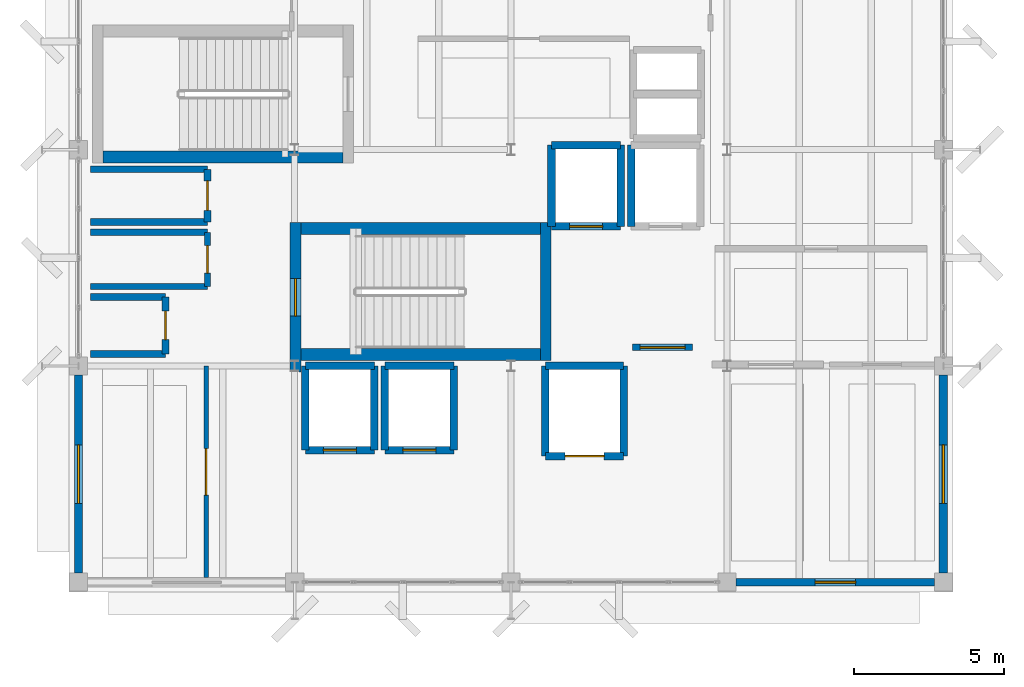
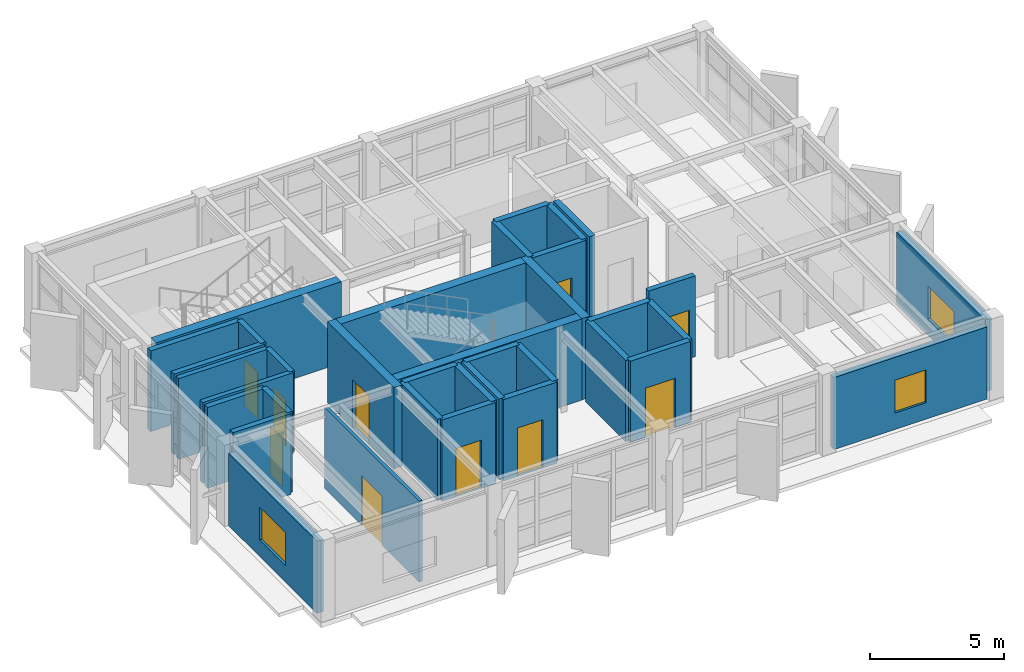
# One storey, part 11 of 15: 36 walls, 10 doors, 3 windows, 13 openings.
"""IFC4 building model written with IfcOpenShell, lengths in metres."""

import ifcopenshell
import ifcopenshell.guid

model = None  # the IFC model being written
_history = None  # IfcOwnerHistory: only IFC2X3 demands one
_inside = {}  # id of a spatial element -> (the spatial element, [elements in it])
_under = {}  # id of a project, library or spatial element -> (it, [spatial elements below it])
_declared = {}  # id of a project -> (the project, [libraries it declares])
_typed = {}  # id of a type object -> (the type object, [elements of that type])
_made_of = {}  # id of a material, layer set ... -> (it, [elements and type objects made of it])


def new_model(schema):
    """Start an empty IFC model of exactly this schema.

    Asked for "IFC4X3", IfcOpenShell would pick the latest addendum, in which some entities
    have other attributes; the version numbers below select the first issue.
    IFC2X3 requires an IfcOwnerHistory on every rooted entity: one is made here for all.
    """
    global model, _history
    if schema == "IFC4X3":
        model = ifcopenshell.file(schema_version=(4, 3, 0, 0))
    else:
        model = ifcopenshell.file(schema=schema)
    _inside.clear()
    _under.clear()
    _declared.clear()
    _typed.clear()
    _made_of.clear()
    _history = None
    if model.schema == "IFC2X3":
        org = make("IfcOrganization", Name="unknown")
        user = make(
            "IfcPersonAndOrganization",
            ThePerson=make("IfcPerson", FamilyName="unknown"),
            TheOrganization=org,
        )
        app = make(
            "IfcApplication",
            ApplicationDeveloper=org,
            Version="unknown",
            ApplicationFullName="unknown",
            ApplicationIdentifier="unknown",
        )
        _history = make(
            "IfcOwnerHistory",
            OwningUser=user,
            OwningApplication=app,
            ChangeAction="ADDED",
            CreationDate=0,
        )
    return model


def make(cls, **values):
    """One entity of the class cls with the attributes given. An attribute that is None is left unset."""
    return model.create_entity(
        cls, **{name: value for name, value in values.items() if value is not None}
    )


def rooted(cls, **values):
    """An entity with a GlobalId (a new one), such as an element, a storey or a relation."""
    return make(cls, GlobalId=ifcopenshell.guid.new(), OwnerHistory=_history, **values)


def si_unit(unit_type, name, prefix=None):
    """IfcSIUnit, for example si_unit("LENGTHUNIT", "METRE", prefix="MILLI")."""
    return make("IfcSIUnit", UnitType=unit_type, Prefix=prefix, Name=name)


def assignment(units):
    """IfcUnitAssignment: the units of a project."""
    return None if units is None else make("IfcUnitAssignment", Units=units)


def point(xyz):
    """IfcCartesianPoint."""
    return None if xyz is None else make("IfcCartesianPoint", Coordinates=xyz)


def direction(xyz):
    """IfcDirection."""
    return None if xyz is None else make("IfcDirection", DirectionRatios=xyz)


def frame(location, z_axis=None, x_axis=None):
    """IfcAxis2Placement3D, a coordinate frame: its origin and axes. An axis left out is left unset."""
    return make(
        "IfcAxis2Placement3D",
        Location=point(location),
        Axis=direction(z_axis),
        RefDirection=direction(x_axis),
    )


def frame_2d(location, x_axis=None):
    """IfcAxis2Placement2D, a coordinate frame in the plane: its origin and x axis."""
    return make(
        "IfcAxis2Placement2D", Location=point(location), RefDirection=direction(x_axis)
    )


def origin():
    """The frame at (0, 0, 0) with its axes left unset."""
    return frame((0.0, 0.0, 0.0))


def place(relative_to, where):
    """IfcLocalPlacement: puts the frame where relative to a parent placement (None: the world)."""
    return make(
        "IfcLocalPlacement", PlacementRelTo=relative_to, RelativePlacement=where
    )


def context(
    kind, dimensions, precision=None, world=None, true_north=None, identifier=None
):
    """IfcGeometricRepresentationContext, for example the 3D "Model" context."""
    return make(
        "IfcGeometricRepresentationContext",
        ContextIdentifier=identifier,
        ContextType=kind,
        CoordinateSpaceDimension=dimensions,
        Precision=precision,
        WorldCoordinateSystem=world,
        TrueNorth=true_north,
    )


def subcontext(parent, identifier, kind, view, scale=None):
    """IfcGeometricRepresentationSubContext, for example "Body" below "Model"."""
    return make(
        "IfcGeometricRepresentationSubContext",
        ContextIdentifier=identifier,
        ContextType=kind,
        ParentContext=parent,
        TargetScale=scale,
        TargetView=view,
    )


def project(units=None, contexts=None):
    """IfcProject with its units and contexts."""
    return rooted(
        "IfcProject",
        Name="project",
        RepresentationContexts=contexts,
        UnitsInContext=assignment(units),
    )


def spatial(cls, under=None, at=None, **own):
    """A site, building, storey or space (cls), placed at a placement, below another one or the project."""
    s = rooted(cls, ObjectPlacement=at, **own)
    if under is not None:
        _under.setdefault(under.id(), (under, []))[1].append(s)
    return s


def profile(cls, at=None, kind="AREA", **sizes):
    """A parametric profile (cls). Its sizes go by their IFC names, for example OverallWidth=200.0."""
    return make(cls, ProfileType=kind, Position=at, **sizes)


def rectangle(**sizes):
    """IfcRectangleProfileDef."""
    return profile("IfcRectangleProfileDef", **sizes)


def extrude(swept, where, along, depth):
    """IfcExtrudedAreaSolid: the profile swept, set in the frame where, extruded along a direction by depth."""
    return make(
        "IfcExtrudedAreaSolid",
        SweptArea=swept,
        Position=where,
        ExtrudedDirection=direction(along),
        Depth=depth,
    )


def shape(context_of_items, identifier, shape_type, items):
    """IfcShapeRepresentation: the items that make up one representation, for example the "Body"."""
    return make(
        "IfcShapeRepresentation",
        ContextOfItems=context_of_items,
        RepresentationIdentifier=identifier,
        RepresentationType=shape_type,
        Items=items,
    )


def material(Name=None, Category=None):
    """IfcMaterial."""
    return make("IfcMaterial", Name=Name, Category=Category)


def layer(
    of_material, thickness, ventilated=None, Name=None, Category=None, Priority=None
):
    """IfcMaterialLayer: one layer of a wall or slab, of a material (None: an air gap)."""
    return make(
        "IfcMaterialLayer",
        Material=of_material,
        LayerThickness=thickness,
        IsVentilated=ventilated,
        Name=Name,
        Category=Category,
        Priority=Priority,
    )


def layer_set(layers, Name=None):
    """IfcMaterialLayerSet."""
    return make("IfcMaterialLayerSet", MaterialLayers=layers, LayerSetName=Name)


def made_of(thing, what):
    """Note that an element or type object is made of a material, layer set ...; save() writes the relation."""
    if what is not None:
        _made_of.setdefault(what.id(), (what, []))[1].append(thing)
    return thing


def type_object(cls, material=None, **own):
    """A type object (cls), such as IfcWallType, which elements share."""
    return made_of(rooted(cls, **own), material)


def element(
    cls,
    number,
    at=None,
    inside=None,
    cuts=None,
    type_object=None,
    material=None,
    context=None,
    identifier="Body",
    shape_type=None,
    held_by="IfcProductDefinitionShape",
    body=None,
    shapes=None,
    **own,
):
    """One element of the class cls, such as IfcWall. Its Tag is "e" and its number.

    at: its placement. inside: the storey or other place that contains it. cuts: it is an
    opening in that element (IfcRelVoidsElement). A single representation is given by context,
    identifier, shape_type and body (its items); several are given by shapes. held_by: the class
    of the entity that holds the representations. save() writes the other relations.
    """
    e = rooted(cls, Tag="e%d" % number, ObjectPlacement=at, **own)
    if body is not None:
        shapes = [shape(context, identifier, shape_type, body)]
    if shapes is not None:
        e.Representation = make(held_by, Representations=shapes)
    if inside is not None:
        _inside.setdefault(inside.id(), (inside, []))[1].append(e)
    if cuts is not None:
        rooted(
            "IfcRelVoidsElement", RelatingBuildingElement=cuts, RelatedOpeningElement=e
        )
    if type_object is not None:
        _typed.setdefault(type_object.id(), (type_object, []))[1].append(e)
    return made_of(e, material)


def fill(opening, filler):
    """IfcRelFillsElement: the door or window that sits in an opening."""
    return rooted(
        "IfcRelFillsElement",
        RelatingOpeningElement=opening,
        RelatedBuildingElement=filler,
    )


def aggregate(whole, parts):
    """IfcRelAggregates: a whole, such as a stair, and the parts it consists of."""
    return rooted("IfcRelAggregates", RelatingObject=whole, RelatedObjects=parts)


def save(model, path):
    """Write the relations noted so far, then the file.

    IfcRelAggregates (storeys below a building ...), IfcRelContainedInSpatialStructure (elements
    in a storey), IfcRelDefinesByType, IfcRelAssociatesMaterial and IfcRelDeclares: one each for
    every whole, place, type object, material and project.
    """
    for whole, parts in _under.values():
        aggregate(whole, parts)
    for where, things in _inside.values():
        rooted(
            "IfcRelContainedInSpatialStructure",
            RelatedElements=things,
            RelatingStructure=where,
        )
    for kind, things in _typed.values():
        rooted("IfcRelDefinesByType", RelatedObjects=things, RelatingType=kind)
    for what, things in _made_of.values():
        rooted("IfcRelAssociatesMaterial", RelatedObjects=things, RelatingMaterial=what)
    for by, libraries in _declared.values():
        rooted("IfcRelDeclares", RelatingContext=by, RelatedDefinitions=libraries)
    model.write(path)


model = new_model("IFC4")

# Units and contexts
model_context = context("Model", 3, precision=1e-05, world=origin(), true_north=direction((0.0, 1.0)))
body_context = subcontext(model_context, "Body", "Model", "MODEL_VIEW")
ifc_project = project(units=[si_unit("LENGTHUNIT", "METRE"), si_unit("AREAUNIT", "SQUARE_METRE"), si_unit("VOLUMEUNIT", "CUBIC_METRE"), si_unit("PLANEANGLEUNIT", "RADIAN"), si_unit("MASSUNIT", "GRAM", prefix="KILO")], contexts=[model_context])

# Site, building, storey
site_placement = place(None, origin())
site = spatial("IfcSite", under=ifc_project, at=site_placement, CompositionType="ELEMENT")
building_placement = place(site_placement, origin())
building = spatial("IfcBuilding", under=site, at=building_placement, Name="Kandorven Conservatory and Botanical Research Centre", CompositionType="ELEMENT")
storey_placement = place(building_placement, frame((0.0, 0.0, 52.199951171875)))
storey = spatial("IfcBuildingStorey", under=building, at=storey_placement, Name="L13", CompositionType="ELEMENT", Elevation=52.199951171875)

# Walls
ifc_material_1 = material(Name="Concrete C40/50 (M50)", Category="concrete")
ifc_layer_1 = layer(ifc_material_1, 0.39990234375)
ifc_layer_set_1 = layer_set([ifc_layer_1], Name="Concrete C40/50 (M50)")
wall_type_1 = type_object("IfcWallType", Name="Wall_CW-RC-1", PredefinedType="SHEAR", material=ifc_layer_set_1)
for number, where, z_axis, x_axis, name in (
    (1, (13.39990234375, 13.574951171875, 0.0), (0.0, 0.0, 1.0), (1.0, 0.0, 0.0), "Core stair shear wall CW-RC-1 ST-T1 L13 side A"),
    (2, (13.39990234375, 17.77490234375, 0.0), (0.0, 0.0, 1.0), (1.0, 0.0, 0.0), "Core stair shear wall CW-RC-1 ST-T1 L13 side B"),
    (3, (14.800048828125, 20.155029296875, 0.0), (0.0, 0.0, 1.0), (-1.0, 0.0, 0.0), "Core stair shear wall CW-RC-1 ST-T2 L13 side B"),
):
    element("IfcWall", number, at=place(storey_placement, frame(where, z_axis=z_axis, x_axis=x_axis)), inside=storey, type_object=wall_type_1, Name=name, PredefinedType="SHEAR", context=body_context, shape_type="SweptSolid", body=[
        extrude(rectangle(XDim=7.97998046875, YDim=0.39990234375, at=frame_2d((3.989990234375, 0.0))), origin(), (0.0, 0.0, 1.0), 3.705078125),
    ])

# Wall, opening, door
ifc_material_2 = material(Name="Concrete C40/50 (M50)", Category="concrete")
ifc_layer_2 = layer(ifc_material_2, 0.35009765625)
ifc_layer_set_2 = layer_set([ifc_layer_2], Name="Concrete C40/50 (M50)")
wall_type_2 = type_object("IfcWallType", Name="Wall_CW-RC-2", PredefinedType="SHEAR", material=ifc_layer_set_2)
wall_1_placement = place(storey_placement, frame((13.22509765625, 13.0, 0.0), z_axis=(0.0, 0.0, 1.0), x_axis=(0.0, 1.0, 0.0)))
wall_1 = element("IfcWall", 4, at=wall_1_placement, inside=storey, type_object=wall_type_2, Name="Core stair shear wall CW-RC-2 ST-T1 L13 entry", PredefinedType="SHEAR", context=body_context, shape_type="SweptSolid", body=[
    extrude(rectangle(XDim=4.969970703125, YDim=0.35009765625, at=frame_2d((2.48486328125, 0.0))), origin(), (0.0, 0.0, 1.0), 3.705078125),
])
opening_1_placement = place(wall_1_placement, frame((1.860107421875, 0.0, 0.0)))
opening_1 = element("IfcOpeningElement", 5, at=opening_1_placement, cuts=wall_1, Name="Opening FD-1", PredefinedType="OPENING", context=body_context, shape_type="SweptSolid", body=[
    extrude(rectangle(XDim=1.25, YDim=2.199951171875, at=frame_2d((0.625, 1.10009765625))), frame((0.0, 0.18505859375, 0.0), z_axis=(0.0, -1.0, 0.0), x_axis=(1.0, 0.0, 0.0)), (0.0, 0.0, 1.0), 0.3701171875),
])
ifc_material_3 = material(Name="Galvanised hollow steel fire door assembly", Category="steel")
door_type_1 = type_object("IfcDoorType", Name="Door_FD-1", OperationType="NOTDEFINED", PredefinedType="DOOR", material=ifc_material_3)
door_1_placement = place(opening_1_placement, origin())
door_1 = element("IfcDoor", 6, at=door_1_placement, inside=storey, type_object=door_type_1, Name="Exit stair fire door FD-1 ST-T1 L13", OperationType="SINGLE_SWING_RIGHT", OverallHeight=2.199951171875, OverallWidth=1.25, PredefinedType="DOOR", context=body_context, shape_type="SweptSolid", body=[
    extrude(rectangle(XDim=1.25, YDim=2.199951171875, at=frame_2d((0.625, 1.10009765625))), frame((0.0, 0.02490234375, 0.0), z_axis=(0.0, -1.0, 0.0), x_axis=(1.0, 0.0, 0.0)), (0.0, 0.0, 1.0), 0.050048828125),
])
fill(opening_1, door_1)

# Wall
wall_2_placement = place(storey_placement, frame((21.554931640625, 13.3798828125, 0.0), z_axis=(0.0, 0.0, 1.0), x_axis=(0.0, 1.0, 0.0)))
element("IfcWall", 7, at=wall_2_placement, inside=storey, type_object=wall_type_2, Name="Core stair shear wall CW-RC-2 ST-T1 L13 far", PredefinedType="SHEAR", context=body_context, shape_type="SweptSolid", body=[
    extrude(rectangle(XDim=4.590087890625, YDim=0.35009765625, at=frame_2d((2.294921875, 0.0))), origin(), (0.0, 0.0, 1.0), 3.705078125),
])

# Wall, opening, door
wall_3_placement = place(storey_placement, frame((21.75, 17.85009765625, 0.0), z_axis=(0.0, 0.0, 1.0), x_axis=(1.0, 0.0, 0.0)))
wall_3 = element("IfcWall", 8, at=wall_3_placement, inside=storey, type_object=wall_type_2, Name="Lift shaft wall FFL-1 L13 S", PredefinedType="SHEAR", context=body_context, shape_type="SweptSolid", body=[
    extrude(rectangle(XDim=2.300048828125, YDim=0.25, at=frame_2d((1.14990234375, 0.0))), origin(), (0.0, 0.0, 1.0), 3.705078125),
])
opening_2_placement = place(wall_3_placement, frame((0.60009765625, 0.0, 0.0)))
opening_2 = element("IfcOpeningElement", 9, at=opening_2_placement, cuts=wall_3, Name="Opening LD-01", PredefinedType="OPENING", context=body_context, shape_type="SweptSolid", body=[
    extrude(rectangle(XDim=1.10009765625, YDim=2.199951171875, at=frame_2d((0.550048828125, 1.10009765625))), frame((0.0, 0.135009765625, 0.0), z_axis=(0.0, -1.0, 0.0), x_axis=(1.0, 0.0, 0.0)), (0.0, 0.0, 1.0), 0.27001953125),
])
ifc_material_4 = material(Name="Anodised aluminium sliding landing door", Category="aluminium")
door_type_2 = type_object("IfcDoorType", Name="Door_LD-01", OperationType="DOUBLE_DOOR_SLIDING", PredefinedType="DOOR", material=ifc_material_4)
door_2_placement = place(opening_2_placement, origin())
door_2 = element("IfcDoor", 10, at=door_2_placement, inside=storey, type_object=door_type_2, Name="Lift landing sliding door LD-01 (FFL-1 L13)", OperationType="DOUBLE_DOOR_SLIDING", OverallHeight=2.199951171875, OverallWidth=1.10009765625, PredefinedType="DOOR", context=body_context, shape_type="SweptSolid", body=[
    extrude(rectangle(XDim=1.10009765625, YDim=2.199951171875, at=frame_2d((0.550048828125, 1.10009765625))), frame((0.0, 0.02490234375, 0.0), z_axis=(0.0, -1.0, 0.0), x_axis=(1.0, 0.0, 0.0)), (0.0, 0.0, 1.0), 0.050048828125),
])
fill(opening_2, door_2)

# Walls
wall_4_placement = place(storey_placement, frame((21.75, 20.550048828125, 0.0), z_axis=(0.0, 0.0, 1.0), x_axis=(1.0, 0.0, 0.0)))
element("IfcWall", 11, at=wall_4_placement, inside=storey, type_object=wall_type_2, Name="Lift shaft wall FFL-1 L13 N", PredefinedType="SHEAR", context=body_context, shape_type="SweptSolid", body=[
    extrude(rectangle(XDim=2.300048828125, YDim=0.25, at=frame_2d((1.14990234375, 0.0))), origin(), (0.0, 0.0, 1.0), 3.705078125),
])
for number, where, z_axis, x_axis, name in (
    (12, (21.75, 17.85009765625, 0.0), (0.0, 0.0, 1.0), (0.0, 1.0, 0.0), "Lift shaft wall FFL-1 L13 W"),
    (13, (24.050048828125, 17.85009765625, 0.0), (0.0, 0.0, 1.0), (0.0, 1.0, 0.0), "Lift shaft wall FFL-1 L13 E"),
    (14, (24.39990234375, 17.85009765625, 0.0), (0.0, 0.0, 1.0), (0.0, 1.0, 0.0), "Lift shaft wall FFL-2 L13 W"),
):
    element("IfcWall", number, at=place(storey_placement, frame(where, z_axis=z_axis, x_axis=x_axis)), inside=storey, type_object=wall_type_2, Name=name, PredefinedType="SHEAR", context=body_context, shape_type="SweptSolid", body=[
        extrude(rectangle(XDim=2.699951171875, YDim=0.25, at=frame_2d((1.35009765625, 0.0))), origin(), (0.0, 0.0, 1.0), 3.705078125),
    ])

# Wall, opening, door
wall_5_placement = place(storey_placement, frame((13.550048828125, 10.39990234375, 0.0), z_axis=(0.0, 0.0, 1.0), x_axis=(1.0, 0.0, 0.0)))
wall_5 = element("IfcWall", 15, at=wall_5_placement, inside=storey, type_object=wall_type_2, Name="Lift shaft wall PL-1 L13 S", PredefinedType="SHEAR", context=body_context, shape_type="SweptSolid", body=[
    extrude(rectangle(XDim=2.300048828125, YDim=0.25, at=frame_2d((1.14990234375, 0.0))), origin(), (0.0, 0.0, 1.0), 3.705078125),
])
opening_3_placement = place(wall_5_placement, frame((0.60009765625, 0.0, 0.0)))
opening_3 = element("IfcOpeningElement", 16, at=opening_3_placement, cuts=wall_5, Name="Opening LD-01", PredefinedType="OPENING", context=body_context, shape_type="SweptSolid", body=[
    extrude(rectangle(XDim=1.10009765625, YDim=2.199951171875, at=frame_2d((0.550048828125, 1.10009765625))), frame((0.0, 0.135009765625, 0.0), z_axis=(0.0, -1.0, 0.0), x_axis=(1.0, 0.0, 0.0)), (0.0, 0.0, 1.0), 0.27001953125),
])
door_3_placement = place(opening_3_placement, origin())
door_3 = element("IfcDoor", 17, at=door_3_placement, inside=storey, type_object=door_type_2, Name="Lift landing sliding door LD-01 (PL-1 L13)", OperationType="DOUBLE_DOOR_SLIDING", OverallHeight=2.199951171875, OverallWidth=1.10009765625, PredefinedType="DOOR", context=body_context, shape_type="SweptSolid", body=[
    extrude(rectangle(XDim=1.10009765625, YDim=2.199951171875, at=frame_2d((0.550048828125, 1.10009765625))), frame((0.0, 0.02490234375, 0.0), z_axis=(0.0, -1.0, 0.0), x_axis=(1.0, 0.0, 0.0)), (0.0, 0.0, 1.0), 0.050048828125),
])
fill(opening_3, door_3)

# Walls
wall_6_placement = place(storey_placement, frame((13.550048828125, 13.199951171875, 0.0), z_axis=(0.0, 0.0, 1.0), x_axis=(1.0, 0.0, 0.0)))
element("IfcWall", 18, at=wall_6_placement, inside=storey, type_object=wall_type_2, Name="Lift shaft wall PL-1 L13 N", PredefinedType="SHEAR", context=body_context, shape_type="SweptSolid", body=[
    extrude(rectangle(XDim=2.300048828125, YDim=0.25, at=frame_2d((1.14990234375, 0.0))), origin(), (0.0, 0.0, 1.0), 3.705078125),
])
for number, where, z_axis, x_axis, name in (
    (19, (13.550048828125, 10.39990234375, 0.0), (0.0, 0.0, 1.0), (0.0, 1.0, 0.0), "Lift shaft wall PL-1 L13 W"),
    (20, (15.85009765625, 10.39990234375, 0.0), (0.0, 0.0, 1.0), (0.0, 1.0, 0.0), "Lift shaft wall PL-1 L13 E"),
):
    element("IfcWall", number, at=place(storey_placement, frame(where, z_axis=z_axis, x_axis=x_axis)), inside=storey, type_object=wall_type_2, Name=name, PredefinedType="SHEAR", context=body_context, shape_type="SweptSolid", body=[
        extrude(rectangle(XDim=2.800048828125, YDim=0.25, at=frame_2d((1.39990234375, 0.0))), origin(), (0.0, 0.0, 1.0), 3.705078125),
    ])

# Wall, opening, door
wall_7_placement = place(storey_placement, frame((16.199951171875, 10.39990234375, 0.0), z_axis=(0.0, 0.0, 1.0), x_axis=(1.0, 0.0, 0.0)))
wall_7 = element("IfcWall", 21, at=wall_7_placement, inside=storey, type_object=wall_type_2, Name="Lift shaft wall PL-2 L13 S", PredefinedType="SHEAR", context=body_context, shape_type="SweptSolid", body=[
    extrude(rectangle(XDim=2.300048828125, YDim=0.25, at=frame_2d((1.14990234375, 0.0))), origin(), (0.0, 0.0, 1.0), 3.705078125),
])
opening_4_placement = place(wall_7_placement, frame((0.60009765625, 0.0, 0.0)))
opening_4 = element("IfcOpeningElement", 22, at=opening_4_placement, cuts=wall_7, Name="Opening LD-01", PredefinedType="OPENING", context=body_context, shape_type="SweptSolid", body=[
    extrude(rectangle(XDim=1.10009765625, YDim=2.199951171875, at=frame_2d((0.550048828125, 1.10009765625))), frame((0.0, 0.135009765625, 0.0), z_axis=(0.0, -1.0, 0.0), x_axis=(1.0, 0.0, 0.0)), (0.0, 0.0, 1.0), 0.27001953125),
])
door_4_placement = place(opening_4_placement, origin())
door_4 = element("IfcDoor", 23, at=door_4_placement, inside=storey, type_object=door_type_2, Name="Lift landing sliding door LD-01 (PL-2 L13)", OperationType="DOUBLE_DOOR_SLIDING", OverallHeight=2.199951171875, OverallWidth=1.10009765625, PredefinedType="DOOR", context=body_context, shape_type="SweptSolid", body=[
    extrude(rectangle(XDim=1.10009765625, YDim=2.199951171875, at=frame_2d((0.550048828125, 1.10009765625))), frame((0.0, 0.02490234375, 0.0), z_axis=(0.0, -1.0, 0.0), x_axis=(1.0, 0.0, 0.0)), (0.0, 0.0, 1.0), 0.050048828125),
])
fill(opening_4, door_4)

# Walls
wall_8_placement = place(storey_placement, frame((16.199951171875, 13.199951171875, 0.0), z_axis=(0.0, 0.0, 1.0), x_axis=(1.0, 0.0, 0.0)))
element("IfcWall", 24, at=wall_8_placement, inside=storey, type_object=wall_type_2, Name="Lift shaft wall PL-2 L13 N", PredefinedType="SHEAR", context=body_context, shape_type="SweptSolid", body=[
    extrude(rectangle(XDim=2.300048828125, YDim=0.25, at=frame_2d((1.14990234375, 0.0))), origin(), (0.0, 0.0, 1.0), 3.705078125),
])
for number, where, z_axis, x_axis, name in (
    (25, (16.199951171875, 10.39990234375, 0.0), (0.0, 0.0, 1.0), (0.0, 1.0, 0.0), "Lift shaft wall PL-2 L13 W"),
    (26, (18.5, 10.39990234375, 0.0), (0.0, 0.0, 1.0), (0.0, 1.0, 0.0), "Lift shaft wall PL-2 L13 E"),
):
    element("IfcWall", number, at=place(storey_placement, frame(where, z_axis=z_axis, x_axis=x_axis)), inside=storey, type_object=wall_type_2, Name=name, PredefinedType="SHEAR", context=body_context, shape_type="SweptSolid", body=[
        extrude(rectangle(XDim=2.800048828125, YDim=0.25, at=frame_2d((1.39990234375, 0.0))), origin(), (0.0, 0.0, 1.0), 3.705078125),
    ])

# Wall, opening, door
wall_9_placement = place(storey_placement, frame((21.550048828125, 10.199951171875, 0.0), z_axis=(0.0, 0.0, 1.0), x_axis=(1.0, 0.0, 0.0)))
wall_9 = element("IfcWall", 27, at=wall_9_placement, inside=storey, type_object=wall_type_2, Name="Lift shaft wall GL-1 L13 S", PredefinedType="SHEAR", context=body_context, shape_type="SweptSolid", body=[
    extrude(rectangle(XDim=2.599853515625, YDim=0.25, at=frame_2d((1.2998046875, 0.0))), origin(), (0.0, 0.0, 1.0), 3.705078125),
])
opening_5_placement = place(wall_9_placement, frame((0.64990234375, 0.0, 0.0)))
opening_5 = element("IfcOpeningElement", 28, at=opening_5_placement, cuts=wall_9, Name="Opening LD-02", PredefinedType="OPENING", context=body_context, shape_type="SweptSolid", body=[
    extrude(rectangle(XDim=1.300048828125, YDim=2.25, at=frame_2d((0.64990234375, 1.125))), frame((0.0, 0.135009765625, 0.0), z_axis=(0.0, -1.0, 0.0), x_axis=(1.0, 0.0, 0.0)), (0.0, 0.0, 1.0), 0.27001953125),
])
ifc_material_5 = material(Name="Anodised aluminium sliding landing door", Category="aluminium")
door_type_3 = type_object("IfcDoorType", Name="Door_LD-02", OperationType="DOUBLE_DOOR_SLIDING", PredefinedType="DOOR", material=ifc_material_5)
door_5_placement = place(opening_5_placement, origin())
door_5 = element("IfcDoor", 29, at=door_5_placement, inside=storey, type_object=door_type_3, Name="Lift landing sliding door LD-02 (GL-1 L13)", OperationType="DOUBLE_DOOR_SLIDING", OverallHeight=2.25, OverallWidth=1.300048828125, PredefinedType="DOOR", context=body_context, shape_type="SweptSolid", body=[
    extrude(rectangle(XDim=1.300048828125, YDim=2.25, at=frame_2d((0.64990234375, 1.125))), frame((0.0, 0.02490234375, 0.0), z_axis=(0.0, -1.0, 0.0), x_axis=(1.0, 0.0, 0.0)), (0.0, 0.0, 1.0), 0.050048828125),
])
fill(opening_5, door_5)

# Walls
wall_10_placement = place(storey_placement, frame((21.550048828125, 13.199951171875, 0.0), z_axis=(0.0, 0.0, 1.0), x_axis=(1.0, 0.0, 0.0)))
element("IfcWall", 30, at=wall_10_placement, inside=storey, type_object=wall_type_2, Name="Lift shaft wall GL-1 L13 N", PredefinedType="SHEAR", context=body_context, shape_type="SweptSolid", body=[
    extrude(rectangle(XDim=2.599853515625, YDim=0.25, at=frame_2d((1.2998046875, 0.0))), origin(), (0.0, 0.0, 1.0), 3.705078125),
])
for number, where, z_axis, x_axis, name in (
    (31, (21.550048828125, 10.199951171875, 0.0), (0.0, 0.0, 1.0), (0.0, 1.0, 0.0), "Lift shaft wall GL-1 L13 W"),
    (32, (24.14990234375, 10.199951171875, 0.0), (0.0, 0.0, 1.0), (0.0, 1.0, 0.0), "Lift shaft wall GL-1 L13 E"),
):
    element("IfcWall", number, at=place(storey_placement, frame(where, z_axis=z_axis, x_axis=x_axis)), inside=storey, type_object=wall_type_2, Name=name, PredefinedType="SHEAR", context=body_context, shape_type="SweptSolid", body=[
        extrude(rectangle(XDim=3.0, YDim=0.25, at=frame_2d((1.5, 0.0))), origin(), (0.0, 0.0, 1.0), 3.705078125),
    ])

# Wall, opening, window
ifc_material_6 = material(Name="Concrete C32/40 (M40)", Category="concrete")
ifc_layer_3 = layer(ifc_material_6, 0.280029296875)
ifc_layer_set_3 = layer_set([ifc_layer_3], Name="Concrete C32/40 (M40)")
wall_type_3 = type_object("IfcWallType", Name="Wall_EW-05", PredefinedType="STANDARD", material=ifc_layer_set_3)
wall_11_placement = place(storey_placement, frame((6.0, 6.300048828125, 0.0), z_axis=(0.0, 0.0, 1.0), x_axis=(0.0, 1.0, 0.0)))
wall_11 = element("IfcWall", 33, at=wall_11_placement, inside=storey, type_object=wall_type_3, Name="Tower concrete facade wall EW-05 W L13", PredefinedType="STANDARD", context=body_context, shape_type="SweptSolid", body=[
    extrude(rectangle(XDim=6.599853515625, YDim=0.280029296875, at=frame_2d((3.2998046875, 0.0))), origin(), (0.0, 0.0, 1.0), 3.28515625),
])
opening_6_placement = place(wall_11_placement, frame((2.324951171875, 0.0, 0.75)))
opening_6 = element("IfcOpeningElement", 34, at=opening_6_placement, cuts=wall_11, Name="Opening W-42", PredefinedType="OPENING", context=body_context, shape_type="SweptSolid", body=[
    extrude(rectangle(XDim=1.949951171875, YDim=1.5, at=frame_2d((0.97509765625, 0.75))), frame((0.0, 0.14990234375, 0.0), z_axis=(0.0, -1.0, 0.0), x_axis=(1.0, 0.0, 0.0)), (0.0, 0.0, 1.0), 0.300048828125),
])
ifc_material_7 = material(Name="Double-glazed solar-control low-E glass", Category="glass")
window_type_1 = type_object("IfcWindowType", Name="Win_W-42", PartitioningType="DOUBLE_PANEL_VERTICAL", PredefinedType="WINDOW", material=ifc_material_7)
window_1_placement = place(opening_6_placement, origin())
window_1 = element("IfcWindow", 35, at=window_1_placement, inside=storey, type_object=window_type_1, Name="Tower recessed solar window W-42", OverallHeight=1.5, OverallWidth=1.949951171875, PartitioningType="SINGLE_PANEL", PredefinedType="WINDOW", context=body_context, shape_type="SweptSolid", body=[
    extrude(rectangle(XDim=1.949951171875, YDim=1.5, at=frame_2d((0.97509765625, 0.75))), frame((0.0, 0.030029296875, 0.0), z_axis=(0.0, -1.0, 0.0), x_axis=(1.0, 0.0, 0.0)), (0.0, 0.0, 1.0), 0.06005859375),
])
fill(opening_6, window_1)

wall_12_placement = place(storey_placement, frame((34.800048828125, 6.300048828125, 0.0), z_axis=(0.0, 0.0, 1.0), x_axis=(0.0, 1.0, 0.0)))
wall_12 = element("IfcWall", 36, at=wall_12_placement, inside=storey, type_object=wall_type_3, Name="Tower concrete facade wall EW-05 E L13", PredefinedType="STANDARD", context=body_context, shape_type="SweptSolid", body=[
    extrude(rectangle(XDim=6.599853515625, YDim=0.280029296875, at=frame_2d((3.2998046875, 0.0))), origin(), (0.0, 0.0, 1.0), 3.28515625),
])
opening_7_placement = place(wall_12_placement, frame((2.324951171875, 0.0, 0.75)))
opening_7 = element("IfcOpeningElement", 37, at=opening_7_placement, cuts=wall_12, Name="Opening W-42", PredefinedType="OPENING", context=body_context, shape_type="SweptSolid", body=[
    extrude(rectangle(XDim=1.949951171875, YDim=1.5, at=frame_2d((0.97509765625, 0.75))), frame((0.0, 0.14990234375, 0.0), z_axis=(0.0, -1.0, 0.0), x_axis=(1.0, 0.0, 0.0)), (0.0, 0.0, 1.0), 0.300048828125),
])
window_2_placement = place(opening_7_placement, origin())
window_2 = element("IfcWindow", 38, at=window_2_placement, inside=storey, type_object=window_type_1, Name="Tower recessed solar window W-42", OverallHeight=1.5, OverallWidth=1.949951171875, PartitioningType="SINGLE_PANEL", PredefinedType="WINDOW", context=body_context, shape_type="SweptSolid", body=[
    extrude(rectangle(XDim=1.949951171875, YDim=1.5, at=frame_2d((0.97509765625, 0.75))), frame((0.0, 0.030029296875, 0.0), z_axis=(0.0, -1.0, 0.0), x_axis=(1.0, 0.0, 0.0)), (0.0, 0.0, 1.0), 0.06005859375),
])
fill(opening_7, window_2)

ifc_material_8 = material(Name="Concrete C32/40 (M40)", Category="concrete")
ifc_layer_4 = layer(ifc_material_8, 0.260009765625)
ifc_layer_set_4 = layer_set([ifc_layer_4], Name="Concrete C32/40 (M40)")
wall_type_4 = type_object("IfcWallType", Name="Wall_EW-06", PredefinedType="STANDARD", material=ifc_layer_set_4)
wall_13_placement = place(storey_placement, frame((27.89990234375, 6.0, 0.0), z_axis=(0.0, 0.0, 1.0), x_axis=(1.0, 0.0, 0.0)))
wall_13 = element("IfcWall", 39, at=wall_13_placement, inside=storey, type_object=wall_type_4, Name="Tower concrete facade wall EW-06 S L13", PredefinedType="STANDARD", context=body_context, shape_type="SweptSolid", body=[
    extrude(rectangle(XDim=6.60009765625, YDim=0.260009765625, at=frame_2d((3.300048828125, 0.0))), origin(), (0.0, 0.0, 1.0), 3.28515625),
])
opening_8_placement = place(wall_13_placement, frame((2.625, 0.0, 0.75)))
opening_8 = element("IfcOpeningElement", 40, at=opening_8_placement, cuts=wall_13, Name="Opening W-40", PredefinedType="OPENING", context=body_context, shape_type="SweptSolid", body=[
    extrude(rectangle(XDim=1.35009765625, YDim=1.5, at=frame_2d((0.675048828125, 0.75))), frame((0.0, 0.139892578125, 0.0), z_axis=(0.0, -1.0, 0.0), x_axis=(1.0, 0.0, 0.0)), (0.0, 0.0, 1.0), 0.280029296875),
])
ifc_material_9 = material(Name="Double-glazed solar-control low-E glass", Category="glass")
window_type_2 = type_object("IfcWindowType", Name="Win_W-40", PartitioningType="DOUBLE_PANEL_VERTICAL", PredefinedType="WINDOW", material=ifc_material_9)
window_3_placement = place(opening_8_placement, origin())
window_3 = element("IfcWindow", 41, at=window_3_placement, inside=storey, type_object=window_type_2, Name="Tower recessed solar window W-40", OverallHeight=1.5, OverallWidth=1.35009765625, PartitioningType="SINGLE_PANEL", PredefinedType="WINDOW", context=body_context, shape_type="SweptSolid", body=[
    extrude(rectangle(XDim=1.35009765625, YDim=1.5, at=frame_2d((0.675048828125, 0.75))), frame((0.0, 0.030029296875, 0.0), z_axis=(0.0, -1.0, 0.0), x_axis=(1.0, 0.0, 0.0)), (0.0, 0.0, 1.0), 0.06005859375),
])
fill(opening_8, window_3)

# Wall, opening, door
ifc_material_10 = material(Name="Fire-rated acoustic gypsum board partition", Category="gypsum")
ifc_layer_5 = layer(ifc_material_10, 0.14990234375)
ifc_layer_set_5 = layer_set([ifc_layer_5], Name="Fire-rated acoustic gypsum board partition")
wall_type_5 = type_object("IfcWallType", Name="Wall_IW-05", PredefinedType="PARTITIONING", material=ifc_layer_set_5)
wall_14_placement = place(storey_placement, frame((10.25, 6.14990234375, 0.0), z_axis=(0.0, 0.0, 1.0), x_axis=(0.0, 1.0, 0.0)))
wall_14 = element("IfcWall", 42, at=wall_14_placement, inside=storey, type_object=wall_type_5, Name="Interior partition wall IW-05 (Herbarium Research Seminar Room L13)", PredefinedType="PARTITIONING", context=body_context, shape_type="SweptSolid", body=[
    extrude(rectangle(XDim=7.050048828125, YDim=0.14990234375, at=frame_2d((3.52490234375, 0.0))), origin(), (0.0, 0.0, 1.0), 3.68505859375),
])
opening_9_placement = place(wall_14_placement, frame((2.75, 0.0, 0.0)))
opening_9 = element("IfcOpeningElement", 43, at=opening_9_placement, cuts=wall_14, Name="Opening D-08", PredefinedType="OPENING", context=body_context, shape_type="SweptSolid", body=[
    extrude(rectangle(XDim=1.550048828125, YDim=2.25, at=frame_2d((0.77490234375, 1.125))), frame((0.0, 0.0849609375, 0.0), z_axis=(0.0, -1.0, 0.0), x_axis=(1.0, 0.0, 0.0)), (0.0, 0.0, 1.0), 0.169921875),
])
ifc_material_11 = material(Name="Solid core acoustic teak-veneered timber leaf", Category="wood")
door_type_4 = type_object("IfcDoorType", Name="Door_D-08", OperationType="NOTDEFINED", PredefinedType="DOOR", material=ifc_material_11)
door_6_placement = place(opening_9_placement, origin())
door_6 = element("IfcDoor", 44, at=door_6_placement, inside=storey, type_object=door_type_4, Name="Interior door D-08 to Herbarium Research Seminar Room L13", OperationType="DOUBLE_DOOR_SINGLE_SWING", OverallHeight=2.25, OverallWidth=1.550048828125, PredefinedType="DOOR", context=body_context, shape_type="SweptSolid", body=[
    extrude(rectangle(XDim=1.550048828125, YDim=2.25, at=frame_2d((0.77490234375, 1.125))), frame((0.0, 0.02490234375, 0.0), z_axis=(0.0, -1.0, 0.0), x_axis=(1.0, 0.0, 0.0)), (0.0, 0.0, 1.0), 0.050048828125),
])
fill(opening_9, door_6)

ifc_material_12 = material(Name="Concrete C32/40 (M40)", Category="concrete")
ifc_layer_6 = layer(ifc_material_12, 0.22509765625)
ifc_layer_set_6 = layer_set([ifc_layer_6], Name="Concrete C32/40 (M40)")
wall_type_6 = type_object("IfcWallType", Name="Wall_IW-FR-2", PredefinedType="SOLIDWALL", material=ifc_layer_set_6)
wall_15_placement = place(storey_placement, frame((24.449951171875, 13.820068359375, 0.0), z_axis=(0.0, 0.0, 1.0), x_axis=(1.0, 0.0, 0.0)))
wall_15 = element("IfcWall", 45, at=wall_15_placement, inside=storey, type_object=wall_type_6, Name="Interior fire partition wall IW-FR-2 (Firefighting Lift Lobby L13)", PredefinedType="SOLIDWALL", context=body_context, shape_type="SweptSolid", body=[
    extrude(rectangle(XDim=2.0, YDim=0.22509765625, at=frame_2d((1.0, 0.0))), origin(), (0.0, 0.0, 1.0), 3.68505859375),
])
opening_10_placement = place(wall_15_placement, frame((0.25, 0.0, 0.0)))
opening_10 = element("IfcOpeningElement", 46, at=opening_10_placement, cuts=wall_15, Name="Opening FD-3", PredefinedType="OPENING", context=body_context, shape_type="SweptSolid", body=[
    extrude(rectangle(XDim=1.5, YDim=2.199951171875, at=frame_2d((0.75, 1.10009765625))), frame((0.0, 0.12255859375, 0.0), z_axis=(0.0, -1.0, 0.0), x_axis=(1.0, 0.0, 0.0)), (0.0, 0.0, 1.0), 0.2451171875),
])
ifc_material_13 = material(Name="Galvanised hollow steel fire door assembly", Category="steel")
door_type_5 = type_object("IfcDoorType", Name="Door_FD-3", OperationType="NOTDEFINED", PredefinedType="DOOR", material=ifc_material_13)
door_7_placement = place(opening_10_placement, origin())
door_7 = element("IfcDoor", 47, at=door_7_placement, inside=storey, type_object=door_type_5, Name="Interior door FD-3 to Firefighting Lift Lobby L13", OperationType="SINGLE_SWING_LEFT", OverallHeight=2.199951171875, OverallWidth=1.5, PredefinedType="DOOR", context=body_context, shape_type="SweptSolid", body=[
    extrude(rectangle(XDim=1.5, YDim=2.199951171875, at=frame_2d((0.75, 1.10009765625))), frame((0.0, 0.02490234375, 0.0), z_axis=(0.0, -1.0, 0.0), x_axis=(1.0, 0.0, 0.0)), (0.0, 0.0, 1.0), 0.050048828125),
])
fill(opening_10, door_7)

ifc_material_14 = material(Name="Autoclaved aerated concrete blockwork masonry", Category="masonry")
ifc_layer_7 = layer(ifc_material_14, 0.22998046875)
ifc_layer_set_7 = layer_set([ifc_layer_7], Name="Autoclaved aerated concrete blockwork masonry")
wall_type_7 = type_object("IfcWallType", Name="Wall_PW-PL-1", PredefinedType="PLUMBINGWALL", material=ifc_layer_set_7)
wall_16_placement = place(storey_placement, frame((8.89990234375, 13.60009765625, 0.0), z_axis=(0.0, 0.0, 1.0), x_axis=(0.0, 1.0, 0.0)))
wall_16 = element("IfcWall", 48, at=wall_16_placement, inside=storey, type_object=wall_type_7, Name="Interior partition wall PW-PL-1 (Accessible WC L13)", PredefinedType="PLUMBINGWALL", context=body_context, shape_type="SweptSolid", body=[
    extrude(rectangle(XDim=1.89990234375, YDim=0.22998046875, at=frame_2d((0.949951171875, 0.0))), origin(), (0.0, 0.0, 1.0), 3.68505859375),
])
opening_11_placement = place(wall_16_placement, frame((0.47509765625, 0.0, 0.0)))
opening_11 = element("IfcOpeningElement", 49, at=opening_11_placement, cuts=wall_16, Name="Opening D-01", PredefinedType="OPENING", context=body_context, shape_type="SweptSolid", body=[
    extrude(rectangle(XDim=0.949951171875, YDim=2.14990234375, at=frame_2d((0.47509765625, 1.074951171875))), frame((0.0, 0.125, 0.0), z_axis=(0.0, -1.0, 0.0), x_axis=(1.0, 0.0, 0.0)), (0.0, 0.0, 1.0), 0.25),
])
ifc_material_15 = material(Name="Solid core acoustic teak-veneered timber leaf", Category="wood")
door_type_6 = type_object("IfcDoorType", Name="Door_D-01", OperationType="NOTDEFINED", PredefinedType="DOOR", material=ifc_material_15)
door_8_placement = place(opening_11_placement, frame((0.949951171875, 0.0, 0.0), z_axis=(0.0, 0.0, 1.0), x_axis=(-1.0, 0.0, 0.0)))
door_8 = element("IfcDoor", 50, at=door_8_placement, inside=storey, type_object=door_type_6, Name="Interior door D-01 to Accessible WC L13", OperationType="SINGLE_SWING_RIGHT", OverallHeight=2.14990234375, OverallWidth=0.949951171875, PredefinedType="DOOR", context=body_context, shape_type="SweptSolid", body=[
    extrude(rectangle(XDim=0.949951171875, YDim=2.14990234375, at=frame_2d((0.47509765625, 1.074951171875))), frame((0.0, 0.02490234375, 0.0), z_axis=(0.0, -1.0, 0.0), x_axis=(1.0, 0.0, 0.0)), (0.0, 0.0, 1.0), 0.050048828125),
])
fill(opening_11, door_8)

# Walls
for number, where, z_axis, x_axis, name in (
    (51, (6.39990234375, 13.60009765625, 0.0), (0.0, 0.0, 1.0), (1.0, 0.0, 0.0), "Sanitary enclosure wall PW-PL-1 (Accessible WC L13 S)"),
    (52, (6.39990234375, 15.5, 0.0), (0.0, 0.0, 1.0), (1.0, 0.0, 0.0), "Sanitary enclosure wall PW-PL-1 (Accessible WC L13 N)"),
):
    element("IfcWall", number, at=place(storey_placement, frame(where, z_axis=z_axis, x_axis=x_axis)), inside=storey, type_object=wall_type_7, Name=name, PredefinedType="PLUMBINGWALL", context=body_context, shape_type="SweptSolid", body=[
        extrude(rectangle(XDim=2.5, YDim=0.22998046875, at=frame_2d((1.25, 0.0))), origin(), (0.0, 0.0, 1.0), 3.68505859375),
    ])

# Wall, opening, door
wall_17_placement = place(storey_placement, frame((10.300048828125, 18.0, 0.0), z_axis=(0.0, 0.0, 1.0), x_axis=(0.0, 1.0, 0.0)))
wall_17 = element("IfcWall", 53, at=wall_17_placement, inside=storey, type_object=wall_type_7, Name="Interior partition wall PW-PL-1 (Staff Male WC L13)", PredefinedType="PLUMBINGWALL", context=body_context, shape_type="SweptSolid", body=[
    extrude(rectangle(XDim=1.75, YDim=0.22998046875, at=frame_2d((0.875, 0.0))), origin(), (0.0, 0.0, 1.0), 3.68505859375),
])
opening_12_placement = place(wall_17_placement, frame((0.385009765625, 0.0, 0.0)))
opening_12 = element("IfcOpeningElement", 54, at=opening_12_placement, cuts=wall_17, Name="Opening D-12", PredefinedType="OPENING", context=body_context, shape_type="SweptSolid", body=[
    extrude(rectangle(XDim=0.97998046875, YDim=2.10009765625, at=frame_2d((0.489990234375, 1.050048828125))), frame((0.0, 0.125, 0.0), z_axis=(0.0, -1.0, 0.0), x_axis=(1.0, 0.0, 0.0)), (0.0, 0.0, 1.0), 0.25),
])
ifc_material_16 = material(Name="Solid core acoustic teak-veneered timber leaf", Category="wood")
door_type_7 = type_object("IfcDoorType", Name="Door_D-12", OperationType="NOTDEFINED", PredefinedType="DOOR", material=ifc_material_16)
door_9_placement = place(opening_12_placement, origin())
door_9 = element("IfcDoor", 55, at=door_9_placement, inside=storey, type_object=door_type_7, Name="Interior door D-12 to Staff Male WC L13", OperationType="SINGLE_SWING_RIGHT", OverallHeight=2.10009765625, OverallWidth=0.97998046875, PredefinedType="DOOR", context=body_context, shape_type="SweptSolid", body=[
    extrude(rectangle(XDim=0.97998046875, YDim=2.10009765625, at=frame_2d((0.489990234375, 1.050048828125))), frame((0.0, 0.02490234375, 0.0), z_axis=(0.0, -1.0, 0.0), x_axis=(1.0, 0.0, 0.0)), (0.0, 0.0, 1.0), 0.050048828125),
])
fill(opening_12, door_9)

# Walls
for number, where, z_axis, x_axis, name in (
    (56, (6.39990234375, 18.0, 0.0), (0.0, 0.0, 1.0), (1.0, 0.0, 0.0), "Sanitary enclosure wall PW-PL-1 (Staff Male WC L13 S)"),
    (57, (6.39990234375, 19.75, 0.0), (0.0, 0.0, 1.0), (1.0, 0.0, 0.0), "Sanitary enclosure wall PW-PL-1 (Staff Male WC L13 N)"),
):
    element("IfcWall", number, at=place(storey_placement, frame(where, z_axis=z_axis, x_axis=x_axis)), inside=storey, type_object=wall_type_7, Name=name, PredefinedType="PLUMBINGWALL", context=body_context, shape_type="SweptSolid", body=[
        extrude(rectangle(XDim=3.900146484375, YDim=0.22998046875, at=frame_2d((1.9501953125, 0.0))), origin(), (0.0, 0.0, 1.0), 3.68505859375),
    ])

# Wall, opening, door
ifc_material_17 = material(Name="Autoclaved aerated concrete blockwork masonry", Category="masonry")
ifc_layer_8 = layer(ifc_material_17, 0.205078125)
ifc_layer_set_8 = layer_set([ifc_layer_8], Name="Autoclaved aerated concrete blockwork masonry")
wall_type_8 = type_object("IfcWallType", Name="Wall_PW-PL-2", PredefinedType="PLUMBINGWALL", material=ifc_layer_set_8)
wall_18_placement = place(storey_placement, frame((10.300048828125, 15.85009765625, 0.0), z_axis=(0.0, 0.0, 1.0), x_axis=(0.0, 1.0, 0.0)))
wall_18 = element("IfcWall", 58, at=wall_18_placement, inside=storey, type_object=wall_type_8, Name="Interior partition wall PW-PL-2 (Staff Female WC L13)", PredefinedType="PLUMBINGWALL", context=body_context, shape_type="SweptSolid", body=[
    extrude(rectangle(XDim=1.7998046875, YDim=0.205078125, at=frame_2d((0.89990234375, 0.0))), origin(), (0.0, 0.0, 1.0), 3.68505859375),
])
opening_13_placement = place(wall_18_placement, frame((0.43994140625, 0.0, 0.0)))
opening_13 = element("IfcOpeningElement", 59, at=opening_13_placement, cuts=wall_18, Name="Opening D-11", PredefinedType="OPENING", context=body_context, shape_type="SweptSolid", body=[
    extrude(rectangle(XDim=0.919921875, YDim=2.10009765625, at=frame_2d((0.4599609375, 1.050048828125))), frame((0.0, 0.112548828125, 0.0), z_axis=(0.0, -1.0, 0.0), x_axis=(1.0, 0.0, 0.0)), (0.0, 0.0, 1.0), 0.22509765625),
])
ifc_material_18 = material(Name="Solid core acoustic teak-veneered timber leaf", Category="wood")
door_type_8 = type_object("IfcDoorType", Name="Door_D-11", OperationType="NOTDEFINED", PredefinedType="DOOR", material=ifc_material_18)
door_10_placement = place(opening_13_placement, origin())
door_10 = element("IfcDoor", 60, at=door_10_placement, inside=storey, type_object=door_type_8, Name="Interior door D-11 to Staff Female WC L13", OperationType="SINGLE_SWING_LEFT", OverallHeight=2.10009765625, OverallWidth=0.919921875, PredefinedType="DOOR", context=body_context, shape_type="SweptSolid", body=[
    extrude(rectangle(XDim=0.919921875, YDim=2.10009765625, at=frame_2d((0.4599609375, 1.050048828125))), frame((0.0, 0.02490234375, 0.0), z_axis=(0.0, -1.0, 0.0), x_axis=(1.0, 0.0, 0.0)), (0.0, 0.0, 1.0), 0.050048828125),
])
fill(opening_13, door_10)

# Walls
for number, where, z_axis, x_axis, name in (
    (61, (6.39990234375, 15.85009765625, 0.0), (0.0, 0.0, 1.0), (1.0, 0.0, 0.0), "Sanitary enclosure wall PW-PL-2 (Staff Female WC L13 S)"),
    (62, (6.39990234375, 17.64990234375, 0.0), (0.0, 0.0, 1.0), (1.0, 0.0, 0.0), "Sanitary enclosure wall PW-PL-2 (Staff Female WC L13 N)"),
):
    element("IfcWall", number, at=place(storey_placement, frame(where, z_axis=z_axis, x_axis=x_axis)), inside=storey, type_object=wall_type_8, Name=name, PredefinedType="PLUMBINGWALL", context=body_context, shape_type="SweptSolid", body=[
        extrude(rectangle(XDim=3.900146484375, YDim=0.205078125, at=frame_2d((1.9501953125, 0.0))), origin(), (0.0, 0.0, 1.0), 3.68505859375),
    ])

save(model, "model.ifc")
